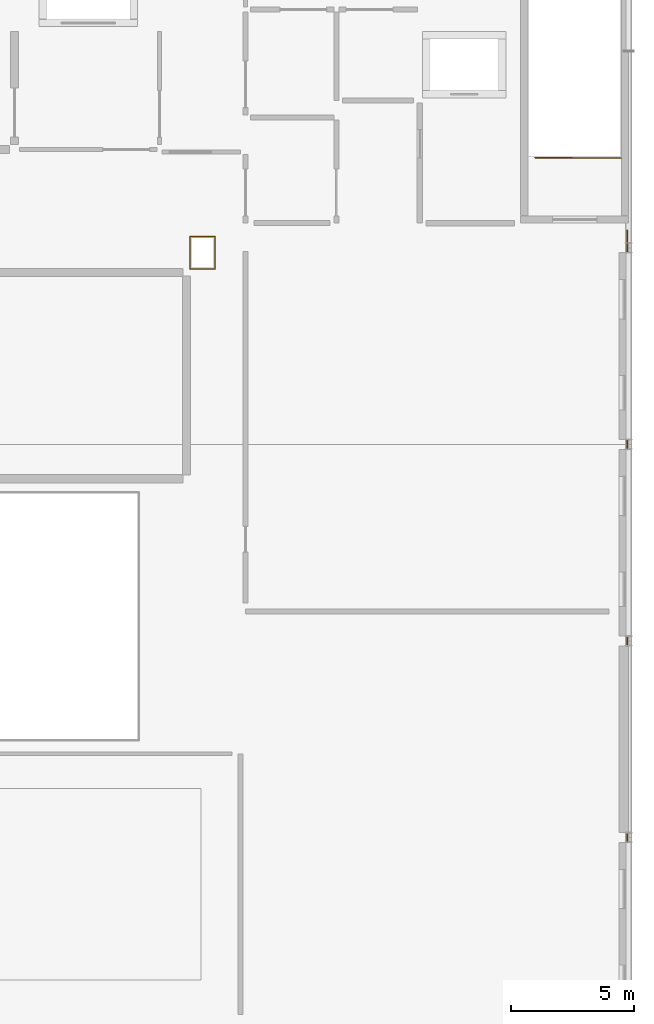
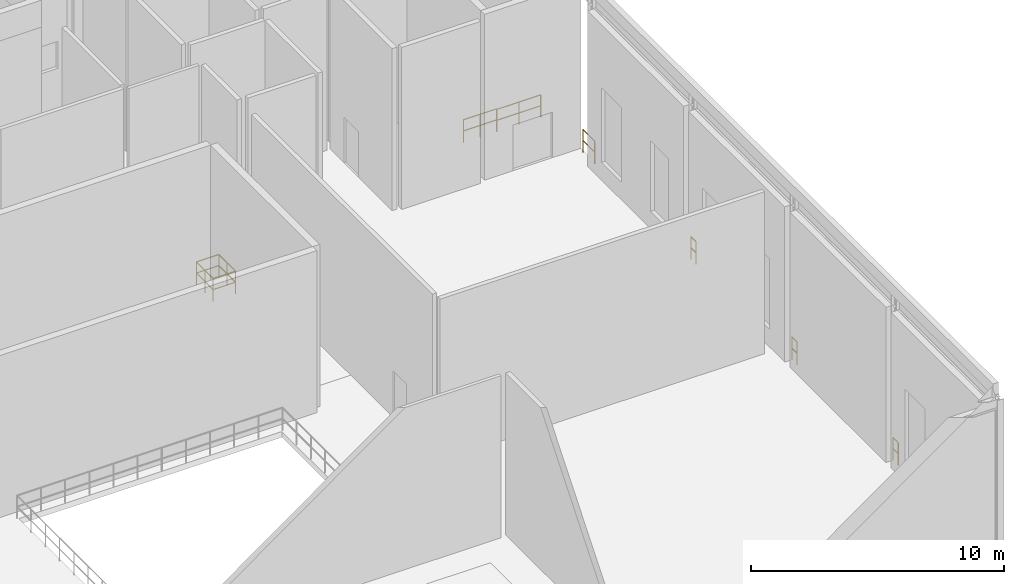
# One storey, part 49 of 49: 7 railings.
"""IFC4 building model written with IfcOpenShell, lengths in metres."""

from ifc_helpers import new_model, si_unit, direction, frame, origin, origin_2d, place, context, subcontext, project, spatial, circle, extrude, material, type_object, element, save


model = new_model("IFC4")

# Units and contexts
model_context = context("Model", 3, precision=1e-05, world=origin(), true_north=direction((0.0, 1.0)))
body_context = subcontext(model_context, "Body", "Model", "MODEL_VIEW")
ifc_project = project(units=[si_unit("LENGTHUNIT", "METRE"), si_unit("AREAUNIT", "SQUARE_METRE"), si_unit("VOLUMEUNIT", "CUBIC_METRE"), si_unit("PLANEANGLEUNIT", "RADIAN"), si_unit("MASSUNIT", "GRAM", prefix="KILO")], contexts=[model_context])

# Site, building, storey
site_placement = place(None, origin())
site = spatial("IfcSite", under=ifc_project, at=site_placement, CompositionType="ELEMENT")
building_placement = place(site_placement, origin())
building = spatial("IfcBuilding", under=site, at=building_placement, Name="Sundkrona Museum", CompositionType="ELEMENT")
storey_placement = place(building_placement, frame((0.0, 0.0, 26.0)))
storey = spatial("IfcBuildingStorey", under=building, at=storey_placement, Name="L05", CompositionType="ELEMENT", Elevation=26.0)

# Railings
ifc_material = material(Name="Painted Steel S355J2 and Laminated Glass Balustrade", Category="steel")
railing_type = type_object("IfcRailingType", Name="RL-GUARD-1100", PredefinedType="BALUSTRADE", material=ifc_material)
railing_1_placement = place(storey_placement, frame((167.699951171875, 35.64990234375, 0.0)))
element("IfcRailing", 1, at=railing_1_placement, inside=storey, type_object=railing_type, Name="L05 ST-1 top well guard 1", PredefinedType="BALUSTRADE", context=body_context, shape_type="SweptSolid", body=[
    extrude(circle(Radius=0.02392578125, at=origin_2d()), frame((0.0, 0.0, 1.076171875), z_axis=(-1.0, 0.0, 0.0), x_axis=(0.0, -1.0, 0.0)), (0.0, 0.0, 1.0), 2.0),
    extrude(circle(Radius=0.02392578125, at=origin_2d()), frame((0.0, 0.0, 0.550048828125), z_axis=(-1.0, 0.0, 0.0), x_axis=(0.0, -1.0, 0.0)), (0.0, 0.0, 1.0), 2.0),
    extrude(circle(Radius=0.02099609375, at=origin_2d()), origin(), (0.0, 0.0, 1.0), 1.052001953125),
    extrude(circle(Radius=0.02099609375, at=origin_2d()), frame((-1.0, 0.0, 0.0)), (0.0, 0.0, 1.0), 1.052001953125),
    extrude(circle(Radius=0.02099609375, at=origin_2d()), frame((-2.0, 0.0, 0.0)), (0.0, 0.0, 1.0), 1.052001953125),
])
railing_2_placement = place(storey_placement, frame((151.159912109375, 31.139892578125, 0.0)))
element("IfcRailing", 2, at=railing_2_placement, inside=storey, type_object=railing_type, Name="L05 Edge Protection Balustrade 006", PredefinedType="BALUSTRADE", context=body_context, shape_type="SweptSolid", body=[
    extrude(circle(Radius=0.02392578125, at=origin_2d()), frame((0.0, 0.0, 1.09619140625), z_axis=(0.0, 1.0, 0.0), x_axis=(-1.0, 0.0, 0.0)), (0.0, 0.0, 1.0), 1.320068359375),
    extrude(circle(Radius=0.02392578125, at=origin_2d()), frame((0.0, 0.0, 0.56005859375), z_axis=(0.0, 1.0, 0.0), x_axis=(-1.0, 0.0, 0.0)), (0.0, 0.0, 1.0), 1.320068359375),
    extrude(circle(Radius=0.02392578125, at=origin_2d()), frame((0.0, 1.320068359375, 1.09619140625), z_axis=(-1.0, 0.0, 0.0), x_axis=(0.0, -1.0, 0.0)), (0.0, 0.0, 1.0), 1.02001953125),
    extrude(circle(Radius=0.02392578125, at=origin_2d()), frame((0.0, 1.320068359375, 0.56005859375), z_axis=(-1.0, 0.0, 0.0), x_axis=(0.0, -1.0, 0.0)), (0.0, 0.0, 1.0), 1.02001953125),
    extrude(circle(Radius=0.02392578125, at=origin_2d()), frame((-1.02001953125, 1.320068359375, 1.09619140625), z_axis=(0.0, -1.0, 0.0), x_axis=(1.0, 0.0, 0.0)), (0.0, 0.0, 1.0), 1.320068359375),
    extrude(circle(Radius=0.02392578125, at=origin_2d()), frame((-1.02001953125, 1.320068359375, 0.56005859375), z_axis=(0.0, -1.0, 0.0), x_axis=(1.0, 0.0, 0.0)), (0.0, 0.0, 1.0), 1.320068359375),
    extrude(circle(Radius=0.02392578125, at=origin_2d()), frame((-1.02001953125, 0.0, 1.09619140625), z_axis=(1.0, 0.0, 0.0), x_axis=(0.0, 1.0, 0.0)), (0.0, 0.0, 1.0), 1.02001953125),
    extrude(circle(Radius=0.02392578125, at=origin_2d()), frame((-1.02001953125, 0.0, 0.56005859375), z_axis=(1.0, 0.0, 0.0), x_axis=(0.0, 1.0, 0.0)), (0.0, 0.0, 1.0), 1.02001953125),
    extrude(circle(Radius=0.02099609375, at=origin_2d()), origin(), (0.0, 0.0, 1.0), 1.072021484375),
    extrude(circle(Radius=0.02099609375, at=origin_2d()), frame((0.0, 0.66015625, 0.0)), (0.0, 0.0, 1.0), 1.072021484375),
    extrude(circle(Radius=0.02099609375, at=origin_2d()), frame((0.0, 1.320068359375, 0.0)), (0.0, 0.0, 1.0), 1.072021484375),
    extrude(circle(Radius=0.02099609375, at=origin_2d()), frame((-1.02001953125, 1.320068359375, 0.0)), (0.0, 0.0, 1.0), 1.072021484375),
    extrude(circle(Radius=0.02099609375, at=origin_2d()), frame((-1.02001953125, 0.66015625, 0.0)), (0.0, 0.0, 1.0), 1.072021484375),
    extrude(circle(Radius=0.02099609375, at=origin_2d()), frame((-1.02001953125, 0.0, 0.0)), (0.0, 0.0, 1.0), 1.072021484375),
])
railing_3_placement = place(storey_placement, frame((164.179931640625, 35.6650390625, 0.0)))
element("IfcRailing", 3, at=railing_3_placement, inside=storey, type_object=railing_type, Name="L05 Edge Protection Balustrade 007", PredefinedType="BALUSTRADE", context=body_context, shape_type="SweptSolid", body=[
    extrude(circle(Radius=0.02392578125, at=origin_2d()), frame((0.0, 0.0, 1.09619140625), z_axis=(1.0, 0.0, 0.0), x_axis=(0.0, 1.0, 0.0)), (0.0, 0.0, 1.0), 1.52001953125),
    extrude(circle(Radius=0.02392578125, at=origin_2d()), frame((0.0, 0.0, 0.56005859375), z_axis=(1.0, 0.0, 0.0), x_axis=(0.0, 1.0, 0.0)), (0.0, 0.0, 1.0), 1.52001953125),
    extrude(circle(Radius=0.02099609375, at=origin_2d()), origin(), (0.0, 0.0, 1.0), 1.072021484375),
    extrude(circle(Radius=0.02099609375, at=origin_2d()), frame((0.760009765625, 0.0, 0.0)), (0.0, 0.0, 1.0), 1.072021484375),
    extrude(circle(Radius=0.02099609375, at=origin_2d()), frame((1.52001953125, 0.0, 0.0)), (0.0, 0.0, 1.0), 1.072021484375),
])
for number, where, name in (
    (4, (167.93994140625, 8.201904296875, 0.0), "L05 Edge Protection Balustrade 008"),
    (5, (167.93994140625, 16.201904296875, 0.0), "L05 Edge Protection Balustrade 009"),
    (6, (167.93994140625, 24.201904296875, 0.0), "L05 Edge Protection Balustrade 010"),
):
    element("IfcRailing", number, at=place(storey_placement, frame(where)), inside=storey, type_object=railing_type, Name=name, PredefinedType="BALUSTRADE", context=body_context, shape_type="SweptSolid", body=[
        extrude(circle(Radius=0.02392578125, at=origin_2d()), frame((0.0, 0.0, 1.09619140625), z_axis=(0.0, -1.0, 0.0), x_axis=(1.0, 0.0, 0.0)), (0.0, 0.0, 1.0), 0.40380859375),
        extrude(circle(Radius=0.02392578125, at=origin_2d()), frame((0.0, 0.0, 0.56005859375), z_axis=(0.0, -1.0, 0.0), x_axis=(1.0, 0.0, 0.0)), (0.0, 0.0, 1.0), 0.40380859375),
        extrude(circle(Radius=0.02099609375, at=origin_2d()), origin(), (0.0, 0.0, 1.0), 1.072021484375),
        extrude(circle(Radius=0.02099609375, at=origin_2d()), frame((0.0, -0.40380859375, 0.0)), (0.0, 0.0, 1.0), 1.072021484375),
    ])
railing_4_placement = place(storey_placement, frame((167.93994140625, 32.719970703125, 0.0)))
element("IfcRailing", 7, at=railing_4_placement, inside=storey, type_object=railing_type, Name="L05 Edge Protection Balustrade 011", PredefinedType="BALUSTRADE", context=body_context, shape_type="SweptSolid", body=[
    extrude(circle(Radius=0.02392578125, at=origin_2d()), frame((0.0, 0.0, 1.09619140625), z_axis=(0.0, -1.0, 0.0), x_axis=(1.0, 0.0, 0.0)), (0.0, 0.0, 1.0), 0.921875),
    extrude(circle(Radius=0.02392578125, at=origin_2d()), frame((0.0, 0.0, 0.56005859375), z_axis=(0.0, -1.0, 0.0), x_axis=(1.0, 0.0, 0.0)), (0.0, 0.0, 1.0), 0.921875),
    extrude(circle(Radius=0.02099609375, at=origin_2d()), origin(), (0.0, 0.0, 1.0), 1.072021484375),
    extrude(circle(Radius=0.02099609375, at=origin_2d()), frame((0.0, -0.921875, 0.0)), (0.0, 0.0, 1.0), 1.072021484375),
])

save(model, "model.ifc")
